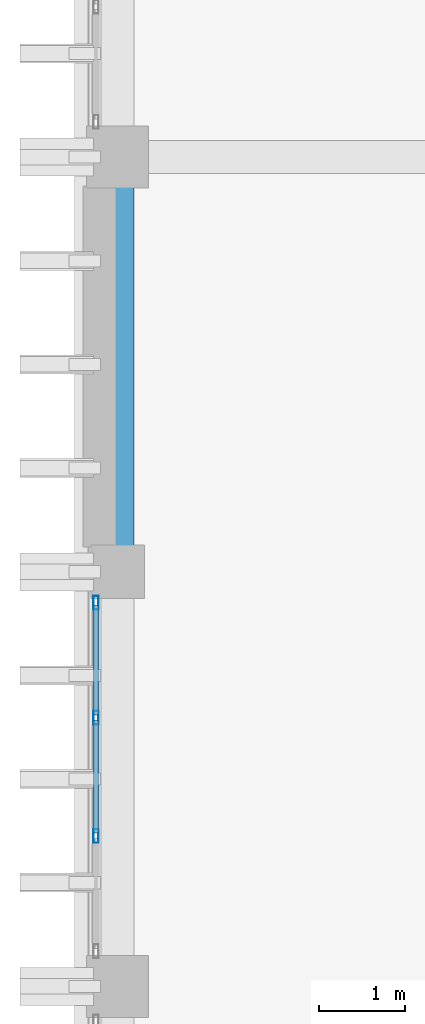
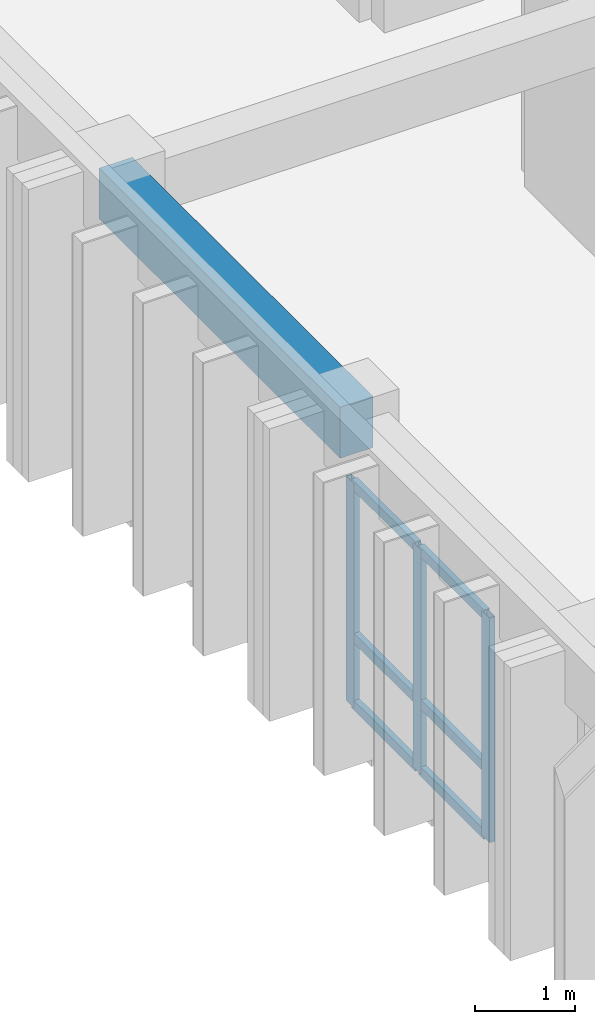
# One storey, part 34 of 59: 9 members, 1 beam, 1 element without a shape of its own.
"""IFC4 building model written with IfcOpenShell, lengths in metres."""

from ifc_helpers import new_model, si_unit, direction, frame, origin, origin_2d, place, context, subcontext, project, spatial, rectangle, hollow_rectangle, extrude, material, layer, layer_set, material_profile, profile_set, type_object, element, aggregate, save


model = new_model("IFC4")

# Units and contexts
model_context = context("Model", 3, precision=1e-05, world=origin(), true_north=direction((0.0, 1.0)))
body_context = subcontext(model_context, "Body", "Model", "MODEL_VIEW")
ifc_project = project(units=[si_unit("LENGTHUNIT", "METRE"), si_unit("AREAUNIT", "SQUARE_METRE"), si_unit("VOLUMEUNIT", "CUBIC_METRE"), si_unit("PLANEANGLEUNIT", "RADIAN"), si_unit("MASSUNIT", "GRAM", prefix="KILO")], contexts=[model_context])

# Site, building, storey
site_placement = place(None, origin())
site = spatial("IfcSite", under=ifc_project, at=site_placement, CompositionType="ELEMENT")
building_placement = place(site_placement, origin())
building = spatial("IfcBuilding", under=site, at=building_placement, Name="Nakhvara Creek Congress Hotel", CompositionType="ELEMENT")
storey_placement = place(building_placement, frame((0.0, 0.0, 31.800048828125)))
storey = spatial("IfcBuildingStorey", under=building, at=storey_placement, Name="L07", CompositionType="ELEMENT", Elevation=31.800048828125)

# Beam
ifc_material_1 = material(Name="Concrete C40/50", Category="concrete")
ifc_material_profile_1 = material_profile(ifc_material_1, rectangle(XDim=0.3798828125, YDim=0.6201171875, at=origin_2d()), Name="RC-BM 380x620", Category="LoadBearing")
ifc_profile_set_1 = profile_set([ifc_material_profile_1], Name="Concrete C40/50")
beam_type = type_object("IfcBeamType", Name="BM-RC-380X620", PredefinedType="BEAM", material=ifc_profile_set_1)
beam_placement = place(storey_placement, frame((149.449951171875, 110.39990234375, 3.050048828125), z_axis=(0.0, 1.0, 0.0), x_axis=(-1.0, 0.0, 0.0)))
element("IfcBeam", 1, at=beam_placement, inside=storey, type_object=beam_type, Name="Beam B10-L07-2337", PredefinedType="BEAM", context=body_context, shape_type="SweptSolid", body=[
    extrude(rectangle(XDim=0.3798828125, YDim=0.6201171875, at=origin_2d()), origin(), (0.0, 0.0, 1.0), 4.800048828125),
])

# Curtain wall, members
ifc_material_2 = material(Name="Bronze-anodised aluminium AW-6063-T6 and double-silver low-E glass", Category="aluminium")
ifc_layer = layer(ifc_material_2, 0.199951171875)
ifc_layer_set = layer_set([ifc_layer], Name="Bronze-anodised aluminium AW-6063-T6 and double-silver low-E glass")
curtain_wall_type = type_object("IfcCurtainWallType", Name="CW-HTL-UNIT", PredefinedType="USERDEFINED", material=ifc_layer_set)
curtain_wall_placement = place(storey_placement, origin())
curtain_wall = element("IfcCurtainWall", 2, at=curtain_wall_placement, inside=storey, type_object=curtain_wall_type, Name="Curtain Wall CW270", ObjectType="UNITISED", PredefinedType="USERDEFINED")
ifc_material_3 = material(Name="Bronze-anodised aluminium AW-6063-T6", Category="aluminium")
ifc_material_profile_2 = material_profile(ifc_material_3, hollow_rectangle(XDim=0.06494140625, YDim=0.159912109375, WallThickness=0.00390625, at=origin_2d()), Name="ALU-MULL 65x160x4", Category="LoadBearing")
ifc_profile_set_2 = profile_set([ifc_material_profile_2], Name="Bronze-anodised aluminium AW-6063-T6")
member_type_1 = type_object("IfcMemberType", Name="CW-MULL-160", PredefinedType="MULLION", material=ifc_profile_set_2)
member_1_placement = place(storey_placement, frame((149.199951171875, 107.341552734375, 0.0), z_axis=(0.0, 0.0, 1.0), x_axis=(-1.0, 0.0, 0.0)))
member_1 = element("IfcMember", 3, at=member_1_placement, type_object=member_type_1, Name="CW270 mullion 2", PredefinedType="MULLION", context=body_context, shape_type="SweptSolid", body=[
    extrude(hollow_rectangle(XDim=0.06494140625, YDim=0.159912109375, WallThickness=0.00390625, at=origin_2d()), origin(), (0.0, 0.0, 1.0), 2.73193359375),
])
member_2_placement = place(storey_placement, frame((149.199951171875, 108.708251953125, 0.0), z_axis=(0.0, 0.0, 1.0), x_axis=(-1.0, 0.0, 0.0)))
member_2 = element("IfcMember", 4, at=member_2_placement, type_object=member_type_1, Name="CW270 mullion 3", PredefinedType="MULLION", context=body_context, shape_type="SweptSolid", body=[
    extrude(hollow_rectangle(XDim=0.06494140625, YDim=0.159912109375, WallThickness=0.00390625, at=origin_2d()), origin(), (0.0, 0.0, 1.0), 2.73193359375),
])
member_3_placement = place(storey_placement, frame((149.199951171875, 110.04248046875, 0.0), z_axis=(0.0, 0.0, 1.0), x_axis=(-1.0, 0.0, 0.0)))
member_3 = element("IfcMember", 5, at=member_3_placement, type_object=member_type_1, Name="CW270 mullion 4", PredefinedType="MULLION", context=body_context, shape_type="SweptSolid", body=[
    extrude(hollow_rectangle(XDim=0.06494140625, YDim=0.159912109375, WallThickness=0.00390625, at=origin_2d()), origin(), (0.0, 0.0, 1.0), 2.73193359375),
])
ifc_material_profile_3 = material_profile(ifc_material_3, hollow_rectangle(XDim=0.06494140625, YDim=0.1201171875, WallThickness=0.00390625, at=origin_2d()), Name="ALU-TRAN 65x120x4", Category="LoadBearing")
ifc_profile_set_3 = profile_set([ifc_material_profile_3], Name="Bronze-anodised aluminium AW-6063-T6")
member_type_2 = type_object("IfcMemberType", Name="CW-TRAN-120", PredefinedType="USERDEFINED", material=ifc_profile_set_3)
member_4_placement = place(storey_placement, frame((149.199951171875, 107.374267578125, 0.032470703125), z_axis=(0.0, 1.0, 0.0), x_axis=(-1.0, 0.0, 0.0)))
member_4 = element("IfcMember", 6, at=member_4_placement, type_object=member_type_2, Name="CW270 transom 2.1", ObjectType="TRANSOM", PredefinedType="USERDEFINED", context=body_context, shape_type="SweptSolid", body=[
    extrude(hollow_rectangle(XDim=0.06494140625, YDim=0.1201171875, WallThickness=0.00390625, at=origin_2d()), origin(), (0.0, 0.0, 1.0), 1.301513671875),
])
member_5_placement = place(storey_placement, frame((149.199951171875, 107.374267578125, 0.849853515625), z_axis=(0.0, 1.0, 0.0), x_axis=(-1.0, 0.0, 0.0)))
member_5 = element("IfcMember", 7, at=member_5_placement, type_object=member_type_2, Name="CW270 transom 2.2", ObjectType="TRANSOM", PredefinedType="USERDEFINED", context=body_context, shape_type="SweptSolid", body=[
    extrude(hollow_rectangle(XDim=0.06494140625, YDim=0.1201171875, WallThickness=0.00390625, at=origin_2d()), origin(), (0.0, 0.0, 1.0), 1.301513671875),
])
member_6_placement = place(storey_placement, frame((149.199951171875, 107.374267578125, 2.699462890625), z_axis=(0.0, 1.0, 0.0), x_axis=(-1.0, 0.0, 0.0)))
member_6 = element("IfcMember", 8, at=member_6_placement, type_object=member_type_2, Name="CW270 transom 2.3", ObjectType="TRANSOM", PredefinedType="USERDEFINED", context=body_context, shape_type="SweptSolid", body=[
    extrude(hollow_rectangle(XDim=0.06494140625, YDim=0.1201171875, WallThickness=0.00390625, at=origin_2d()), origin(), (0.0, 0.0, 1.0), 1.301513671875),
])
member_7_placement = place(storey_placement, frame((149.199951171875, 108.74072265625, 0.032470703125), z_axis=(0.0, 1.0, 0.0), x_axis=(-1.0, 0.0, 0.0)))
member_7 = element("IfcMember", 9, at=member_7_placement, type_object=member_type_2, Name="CW270 transom 3.1", ObjectType="TRANSOM", PredefinedType="USERDEFINED", context=body_context, shape_type="SweptSolid", body=[
    extrude(hollow_rectangle(XDim=0.06494140625, YDim=0.1201171875, WallThickness=0.00390625, at=origin_2d()), origin(), (0.0, 0.0, 1.0), 1.269287109375),
])
member_8_placement = place(storey_placement, frame((149.199951171875, 108.74072265625, 0.849853515625), z_axis=(0.0, 1.0, 0.0), x_axis=(-1.0, 0.0, 0.0)))
member_8 = element("IfcMember", 10, at=member_8_placement, type_object=member_type_2, Name="CW270 transom 3.2", ObjectType="TRANSOM", PredefinedType="USERDEFINED", context=body_context, shape_type="SweptSolid", body=[
    extrude(hollow_rectangle(XDim=0.06494140625, YDim=0.1201171875, WallThickness=0.00390625, at=origin_2d()), origin(), (0.0, 0.0, 1.0), 1.269287109375),
])
member_9_placement = place(storey_placement, frame((149.199951171875, 108.74072265625, 2.699462890625), z_axis=(0.0, 1.0, 0.0), x_axis=(-1.0, 0.0, 0.0)))
member_9 = element("IfcMember", 11, at=member_9_placement, type_object=member_type_2, Name="CW270 transom 3.3", ObjectType="TRANSOM", PredefinedType="USERDEFINED", context=body_context, shape_type="SweptSolid", body=[
    extrude(hollow_rectangle(XDim=0.06494140625, YDim=0.1201171875, WallThickness=0.00390625, at=origin_2d()), origin(), (0.0, 0.0, 1.0), 1.269287109375),
])
aggregate(curtain_wall, [member_1, member_2, member_3, member_4, member_5, member_6, member_7, member_8, member_9])

save(model, "model.ifc")
